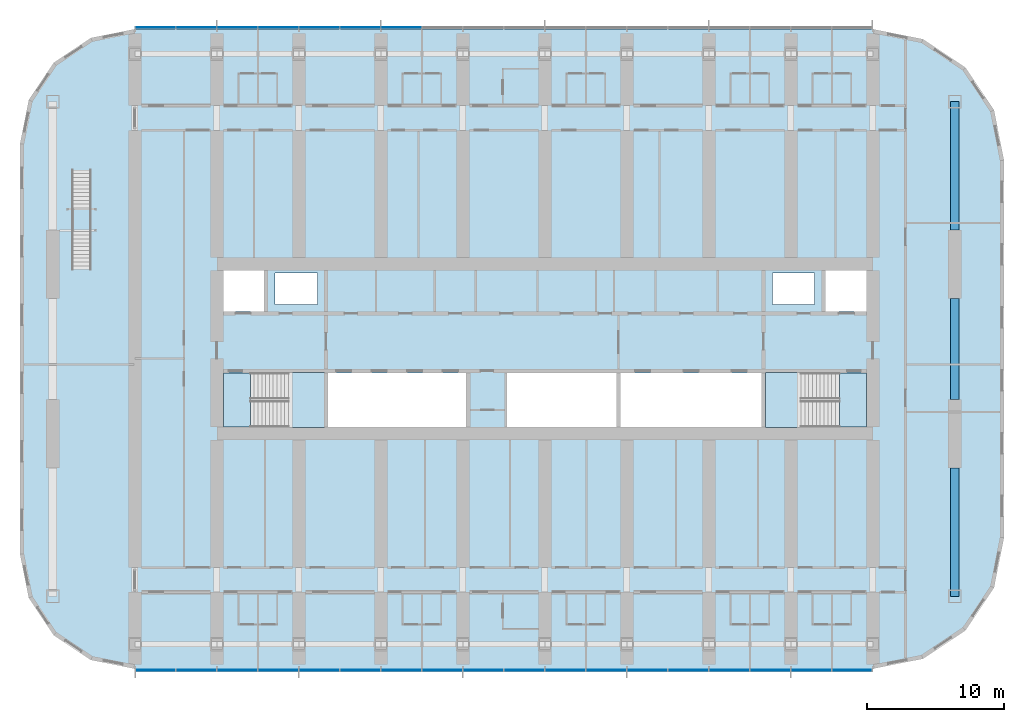
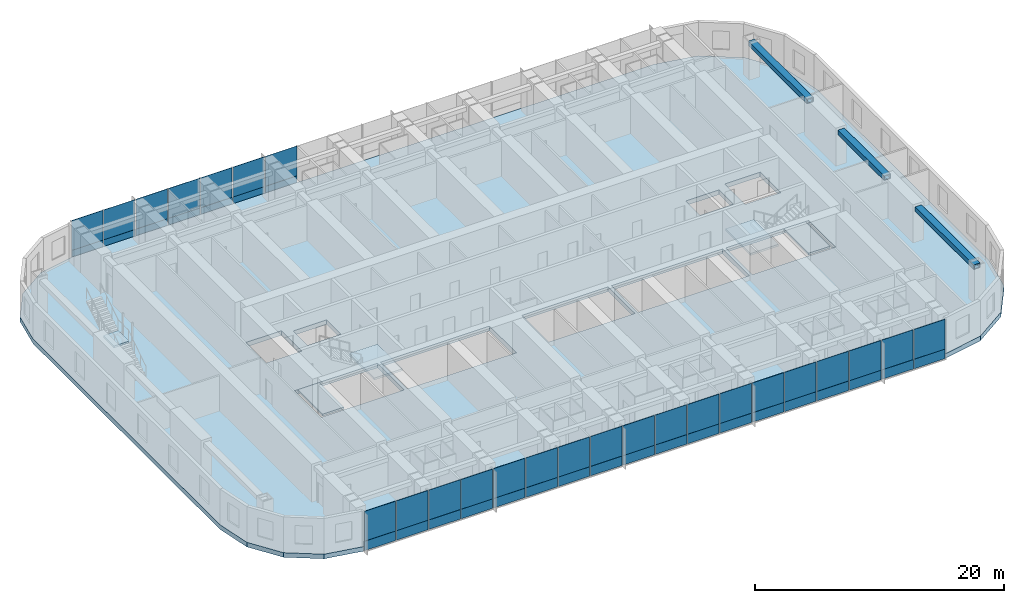
# One storey, part 8 of 25: 50 plates, 6 slabs, 3 beams, 5 elements without a shape of their own.
"""IFC4 building model written with IfcOpenShell, lengths in metres."""

import ifcopenshell
import ifcopenshell.guid

model = None  # the IFC model being written
_history = None  # IfcOwnerHistory: only IFC2X3 demands one
_inside = {}  # id of a spatial element -> (the spatial element, [elements in it])
_under = {}  # id of a project, library or spatial element -> (it, [spatial elements below it])
_declared = {}  # id of a project -> (the project, [libraries it declares])
_typed = {}  # id of a type object -> (the type object, [elements of that type])
_made_of = {}  # id of a material, layer set ... -> (it, [elements and type objects made of it])


def new_model(schema):
    """Start an empty IFC model of exactly this schema.

    Asked for "IFC4X3", IfcOpenShell would pick the latest addendum, in which some entities
    have other attributes; the version numbers below select the first issue.
    IFC2X3 requires an IfcOwnerHistory on every rooted entity: one is made here for all.
    """
    global model, _history
    if schema == "IFC4X3":
        model = ifcopenshell.file(schema_version=(4, 3, 0, 0))
    else:
        model = ifcopenshell.file(schema=schema)
    _inside.clear()
    _under.clear()
    _declared.clear()
    _typed.clear()
    _made_of.clear()
    _history = None
    if model.schema == "IFC2X3":
        org = make("IfcOrganization", Name="unknown")
        user = make(
            "IfcPersonAndOrganization",
            ThePerson=make("IfcPerson", FamilyName="unknown"),
            TheOrganization=org,
        )
        app = make(
            "IfcApplication",
            ApplicationDeveloper=org,
            Version="unknown",
            ApplicationFullName="unknown",
            ApplicationIdentifier="unknown",
        )
        _history = make(
            "IfcOwnerHistory",
            OwningUser=user,
            OwningApplication=app,
            ChangeAction="ADDED",
            CreationDate=0,
        )
    return model


def make(cls, **values):
    """One entity of the class cls with the attributes given. An attribute that is None is left unset."""
    return model.create_entity(
        cls, **{name: value for name, value in values.items() if value is not None}
    )


def rooted(cls, **values):
    """An entity with a GlobalId (a new one), such as an element, a storey or a relation."""
    return make(cls, GlobalId=ifcopenshell.guid.new(), OwnerHistory=_history, **values)


def si_unit(unit_type, name, prefix=None):
    """IfcSIUnit, for example si_unit("LENGTHUNIT", "METRE", prefix="MILLI")."""
    return make("IfcSIUnit", UnitType=unit_type, Prefix=prefix, Name=name)


def assignment(units):
    """IfcUnitAssignment: the units of a project."""
    return None if units is None else make("IfcUnitAssignment", Units=units)


def point(xyz):
    """IfcCartesianPoint."""
    return None if xyz is None else make("IfcCartesianPoint", Coordinates=xyz)


def direction(xyz):
    """IfcDirection."""
    return None if xyz is None else make("IfcDirection", DirectionRatios=xyz)


def frame(location, z_axis=None, x_axis=None):
    """IfcAxis2Placement3D, a coordinate frame: its origin and axes. An axis left out is left unset."""
    return make(
        "IfcAxis2Placement3D",
        Location=point(location),
        Axis=direction(z_axis),
        RefDirection=direction(x_axis),
    )


def frame_2d(location, x_axis=None):
    """IfcAxis2Placement2D, a coordinate frame in the plane: its origin and x axis."""
    return make(
        "IfcAxis2Placement2D", Location=point(location), RefDirection=direction(x_axis)
    )


def origin():
    """The frame at (0, 0, 0) with its axes left unset."""
    return frame((0.0, 0.0, 0.0))


def origin_2d():
    """The frame at (0, 0) in the plane with its x axis left unset."""
    return frame_2d((0.0, 0.0))


def place(relative_to, where):
    """IfcLocalPlacement: puts the frame where relative to a parent placement (None: the world)."""
    return make(
        "IfcLocalPlacement", PlacementRelTo=relative_to, RelativePlacement=where
    )


def context(
    kind, dimensions, precision=None, world=None, true_north=None, identifier=None
):
    """IfcGeometricRepresentationContext, for example the 3D "Model" context."""
    return make(
        "IfcGeometricRepresentationContext",
        ContextIdentifier=identifier,
        ContextType=kind,
        CoordinateSpaceDimension=dimensions,
        Precision=precision,
        WorldCoordinateSystem=world,
        TrueNorth=true_north,
    )


def subcontext(parent, identifier, kind, view, scale=None):
    """IfcGeometricRepresentationSubContext, for example "Body" below "Model"."""
    return make(
        "IfcGeometricRepresentationSubContext",
        ContextIdentifier=identifier,
        ContextType=kind,
        ParentContext=parent,
        TargetScale=scale,
        TargetView=view,
    )


def project(units=None, contexts=None):
    """IfcProject with its units and contexts."""
    return rooted(
        "IfcProject",
        Name="project",
        RepresentationContexts=contexts,
        UnitsInContext=assignment(units),
    )


def spatial(cls, under=None, at=None, **own):
    """A site, building, storey or space (cls), placed at a placement, below another one or the project."""
    s = rooted(cls, ObjectPlacement=at, **own)
    if under is not None:
        _under.setdefault(under.id(), (under, []))[1].append(s)
    return s


def polyline(points):
    """IfcPolyline through the points."""
    return make("IfcPolyline", Points=[point(p) for p in points])


def profile(cls, at=None, kind="AREA", **sizes):
    """A parametric profile (cls). Its sizes go by their IFC names, for example OverallWidth=200.0."""
    return make(cls, ProfileType=kind, Position=at, **sizes)


def rectangle(**sizes):
    """IfcRectangleProfileDef."""
    return profile("IfcRectangleProfileDef", **sizes)


def hollow_rectangle(**sizes):
    """IfcRectangleHollowProfileDef."""
    return profile("IfcRectangleHollowProfileDef", **sizes)


def outline(outer, holes=None, kind="AREA"):
    """IfcArbitraryClosedProfileDef: a profile drawn as a closed curve; with holes, ...WithVoids."""
    if holes is None:
        return make("IfcArbitraryClosedProfileDef", ProfileType=kind, OuterCurve=outer)
    return make(
        "IfcArbitraryProfileDefWithVoids",
        ProfileType=kind,
        OuterCurve=outer,
        InnerCurves=holes,
    )


def extrude(swept, where, along, depth):
    """IfcExtrudedAreaSolid: the profile swept, set in the frame where, extruded along a direction by depth."""
    return make(
        "IfcExtrudedAreaSolid",
        SweptArea=swept,
        Position=where,
        ExtrudedDirection=direction(along),
        Depth=depth,
    )


def shape(context_of_items, identifier, shape_type, items):
    """IfcShapeRepresentation: the items that make up one representation, for example the "Body"."""
    return make(
        "IfcShapeRepresentation",
        ContextOfItems=context_of_items,
        RepresentationIdentifier=identifier,
        RepresentationType=shape_type,
        Items=items,
    )


def material(Name=None, Category=None):
    """IfcMaterial."""
    return make("IfcMaterial", Name=Name, Category=Category)


def layer(
    of_material, thickness, ventilated=None, Name=None, Category=None, Priority=None
):
    """IfcMaterialLayer: one layer of a wall or slab, of a material (None: an air gap)."""
    return make(
        "IfcMaterialLayer",
        Material=of_material,
        LayerThickness=thickness,
        IsVentilated=ventilated,
        Name=Name,
        Category=Category,
        Priority=Priority,
    )


def layer_set(layers, Name=None):
    """IfcMaterialLayerSet."""
    return make("IfcMaterialLayerSet", MaterialLayers=layers, LayerSetName=Name)


def material_profile(
    of_material, cross_section, Name=None, Category=None, Priority=None
):
    """IfcMaterialProfile: a cross section and its material."""
    return make(
        "IfcMaterialProfile",
        Name=Name,
        Material=of_material,
        Profile=cross_section,
        Priority=Priority,
        Category=Category,
    )


def profile_set(profiles, Name=None, composite=None):
    """IfcMaterialProfileSet."""
    return make(
        "IfcMaterialProfileSet",
        Name=Name,
        MaterialProfiles=profiles,
        CompositeProfile=composite,
    )


def made_of(thing, what):
    """Note that an element or type object is made of a material, layer set ...; save() writes the relation."""
    if what is not None:
        _made_of.setdefault(what.id(), (what, []))[1].append(thing)
    return thing


def type_object(cls, material=None, **own):
    """A type object (cls), such as IfcWallType, which elements share."""
    return made_of(rooted(cls, **own), material)


def element(
    cls,
    number,
    at=None,
    inside=None,
    cuts=None,
    type_object=None,
    material=None,
    context=None,
    identifier="Body",
    shape_type=None,
    held_by="IfcProductDefinitionShape",
    body=None,
    shapes=None,
    **own,
):
    """One element of the class cls, such as IfcWall. Its Tag is "e" and its number.

    at: its placement. inside: the storey or other place that contains it. cuts: it is an
    opening in that element (IfcRelVoidsElement). A single representation is given by context,
    identifier, shape_type and body (its items); several are given by shapes. held_by: the class
    of the entity that holds the representations. save() writes the other relations.
    """
    e = rooted(cls, Tag="e%d" % number, ObjectPlacement=at, **own)
    if body is not None:
        shapes = [shape(context, identifier, shape_type, body)]
    if shapes is not None:
        e.Representation = make(held_by, Representations=shapes)
    if inside is not None:
        _inside.setdefault(inside.id(), (inside, []))[1].append(e)
    if cuts is not None:
        rooted(
            "IfcRelVoidsElement", RelatingBuildingElement=cuts, RelatedOpeningElement=e
        )
    if type_object is not None:
        _typed.setdefault(type_object.id(), (type_object, []))[1].append(e)
    return made_of(e, material)


def aggregate(whole, parts):
    """IfcRelAggregates: a whole, such as a stair, and the parts it consists of."""
    return rooted("IfcRelAggregates", RelatingObject=whole, RelatedObjects=parts)


def save(model, path):
    """Write the relations noted so far, then the file.

    IfcRelAggregates (storeys below a building ...), IfcRelContainedInSpatialStructure (elements
    in a storey), IfcRelDefinesByType, IfcRelAssociatesMaterial and IfcRelDeclares: one each for
    every whole, place, type object, material and project.
    """
    for whole, parts in _under.values():
        aggregate(whole, parts)
    for where, things in _inside.values():
        rooted(
            "IfcRelContainedInSpatialStructure",
            RelatedElements=things,
            RelatingStructure=where,
        )
    for kind, things in _typed.values():
        rooted("IfcRelDefinesByType", RelatedObjects=things, RelatingType=kind)
    for what, things in _made_of.values():
        rooted("IfcRelAssociatesMaterial", RelatedObjects=things, RelatingMaterial=what)
    for by, libraries in _declared.values():
        rooted("IfcRelDeclares", RelatingContext=by, RelatedDefinitions=libraries)
    model.write(path)


model = new_model("IFC4")

# Units and contexts
model_context = context("Model", 3, precision=1e-05, world=origin(), true_north=direction((0.0, 1.0)))
body_context = subcontext(model_context, "Body", "Model", "MODEL_VIEW")
ifc_project = project(units=[si_unit("LENGTHUNIT", "METRE"), si_unit("AREAUNIT", "SQUARE_METRE"), si_unit("VOLUMEUNIT", "CUBIC_METRE"), si_unit("PLANEANGLEUNIT", "RADIAN"), si_unit("MASSUNIT", "GRAM", prefix="KILO")], contexts=[model_context])

# Site, building, storey
site_placement = place(None, origin())
site = spatial("IfcSite", under=ifc_project, at=site_placement, CompositionType="ELEMENT")
building_placement = place(site_placement, origin())
building = spatial("IfcBuilding", under=site, at=building_placement, Name="Orbita Commons", CompositionType="ELEMENT")
storey_placement = place(building_placement, frame((0.0, 0.0, 99.39990234375)))
storey = spatial("IfcBuildingStorey", under=building, at=storey_placement, Name="L24", CompositionType="ELEMENT", Elevation=99.39990234375)

# Beams
ifc_material_1 = material(Name="Steel ASTM A572 Gr 50 welded plate", Category="steel")
ifc_material_profile = material_profile(ifc_material_1, hollow_rectangle(XDim=0.60009765625, YDim=0.449951171875, WallThickness=0.06005859375, at=origin_2d()), Name="BOX 450x600x60")
ifc_profile_set = profile_set([ifc_material_profile], Name="Steel ASTM A572 Gr 50 welded plate")
beam_type = type_object("IfcBeamType", Name="Steel end frame link BOX 450x600x60", PredefinedType="BEAM", material=ifc_profile_set)
beam_1_placement = place(storey_placement, frame((72.0, 13.89990234375, 3.275146484375), z_axis=(0.0, 1.0, 0.0), x_axis=(-1.0, 0.0, 0.0)))
element("IfcBeam", 1, at=beam_1_placement, inside=storey, type_object=beam_type, Name="End frame beam 13 B-C L24", PredefinedType="BEAM", context=body_context, shape_type="SweptSolid", body=[
    extrude(hollow_rectangle(XDim=0.60009765625, YDim=0.449951171875, WallThickness=0.06005859375, at=origin_2d()), origin(), (0.0, 0.0, 1.0), 9.400146484375),
])
beam_2_placement = place(storey_placement, frame((72.0, 28.300048828125, 3.275146484375), z_axis=(0.0, 1.0, 0.0), x_axis=(-1.0, 0.0, 0.0)))
element("IfcBeam", 2, at=beam_2_placement, inside=storey, type_object=beam_type, Name="End frame beam 13 C-D L24", PredefinedType="BEAM", context=body_context, shape_type="SweptSolid", body=[
    extrude(hollow_rectangle(XDim=0.60009765625, YDim=0.449951171875, WallThickness=0.06005859375, at=origin_2d()), origin(), (0.0, 0.0, 1.0), 7.39990234375),
])
beam_3_placement = place(storey_placement, frame((72.0, 40.699951171875, 3.275146484375), z_axis=(0.0, 1.0, 0.0), x_axis=(-1.0, 0.0, 0.0)))
element("IfcBeam", 3, at=beam_3_placement, inside=storey, type_object=beam_type, Name="End frame beam 13 D-E L24", PredefinedType="BEAM", context=body_context, shape_type="SweptSolid", body=[
    extrude(hollow_rectangle(XDim=0.60009765625, YDim=0.449951171875, WallThickness=0.06005859375, at=origin_2d()), origin(), (0.0, 0.0, 1.0), 9.400146484375),
])

# Stair, slab
ifc_material_2 = material(Name="Steel ASTM A992 stringers, precast concrete C40/50 terrazzo treads", Category="concrete")
stair_type_1 = type_object("IfcStairType", Name="Feature stair 22 risers 170 x 280 x 1400", PredefinedType="STRAIGHT_RUN_STAIR", material=ifc_material_2)
stair_1_placement = place(storey_placement, origin())
stair_1 = element("IfcStair", 4, at=stair_1_placement, inside=storey, type_object=stair_type_1, Name="Neighbourhood stair L24 to L25", PredefinedType="STRAIGHT_RUN_STAIR")
ifc_material_3 = material(Name="Concrete C40/50", Category="concrete")
ifc_layer_1 = layer(ifc_material_3, 0.199951171875)
ifc_layer_set_1 = layer_set([ifc_layer_1], Name="Concrete C40/50")
slab_type_1 = type_object("IfcSlabType", Name="Feature stair landing 200", PredefinedType="LANDING", material=ifc_layer_set_1)
slab_1_placement = place(storey_placement, frame((0.0, 0.0, 1.675048828125)))
slab_1 = element("IfcSlab", 5, at=slab_1_placement, type_object=slab_type_1, Name="FS landing 1", PredefinedType="LANDING", context=body_context, shape_type="SweptSolid", body=[
    extrude(outline(polyline([(7.39990234375, 40.60009765625), (8.800048828125, 40.60009765625), (8.800048828125, 42.31005859375), (7.39990234375, 42.31005859375), (7.39990234375, 40.60009765625)])), origin(), (0.0, 0.0, 1.0), 0.199951171875),
])
aggregate(stair_1, [slab_1])

# Slab
ifc_material_4 = material(Name="Concrete C40/50", Category="concrete")
ifc_layer_2 = layer(ifc_material_4, 0.449951171875)
ifc_layer_set_2 = layer_set([ifc_layer_2], Name="Concrete C40/50")
slab_type_2 = type_object("IfcSlabType", Name="Floor slab 450", PredefinedType="FLOOR", material=ifc_layer_set_2)
slab_2_placement = place(storey_placement, frame((0.0, 0.0, -0.449951171875)))
element("IfcSlab", 6, at=slab_2_placement, inside=storey, type_object=slab_type_2, Name="Floor slab L24", PredefinedType="FLOOR", context=body_context, shape_type="SweptSolid", body=[
    extrude(outline(polyline([(66.0, 8.60009765625), (69.673828125, 9.330810546875), (72.788330078125, 11.411865234375), (74.869140625, 14.526123046875), (75.60009765625, 18.199951171875), (75.60009765625, 45.800048828125), (74.869140625, 49.473876953125), (72.788330078125, 52.588134765625), (69.673828125, 54.669189453125), (66.0, 55.39990234375), (12.0, 55.39990234375), (8.785400390625, 54.760498046875), (6.060302734375, 52.939697265625), (4.239501953125, 50.214599609375), (3.60009765625, 47.0), (3.60009765625, 17.0), (4.239501953125, 13.785400390625), (6.060302734375, 11.060302734375), (8.785400390625, 9.239501953125), (12.0, 8.60009765625), (66.0, 8.60009765625)]), holes=[polyline([(18.14990234375, 25.949951171875), (25.85009765625, 25.949951171875), (25.85009765625, 30.25), (18.14990234375, 30.25), (18.14990234375, 25.949951171875)]), polyline([(58.14990234375, 25.949951171875), (65.85009765625, 25.949951171875), (65.85009765625, 30.25), (58.14990234375, 30.25), (58.14990234375, 25.949951171875)]), polyline([(18.14990234375, 34.75), (21.449951171875, 34.75), (21.449951171875, 38.050048828125), (18.14990234375, 38.050048828125), (18.14990234375, 34.75)]), polyline([(62.550048828125, 34.75), (65.85009765625, 34.75), (65.85009765625, 38.050048828125), (62.550048828125, 38.050048828125), (62.550048828125, 34.75)]), polyline([(22.25, 35.25), (25.35009765625, 35.25), (25.35009765625, 37.550048828125), (22.25, 37.550048828125), (22.25, 35.25)]), polyline([(58.64990234375, 35.25), (61.75, 35.25), (61.75, 37.550048828125), (58.64990234375, 37.550048828125), (58.64990234375, 35.25)]), polyline([(26.14990234375, 25.949951171875), (36.25, 25.949951171875), (36.25, 30.25), (26.14990234375, 30.25), (26.14990234375, 25.949951171875)]), polyline([(39.25, 25.949951171875), (47.25, 25.949951171875), (47.25, 30.25), (39.25, 30.25), (39.25, 25.949951171875)]), polyline([(47.550048828125, 25.949951171875), (57.85009765625, 25.949951171875), (57.85009765625, 30.25), (47.550048828125, 30.25), (47.550048828125, 25.949951171875)])]), origin(), (0.0, 0.0, 1.0), 0.449951171875),
])

# Curtain wall, plates
ifc_material_5 = material(Name="Anodised aluminium frame, pale silver", Category="aluminium")
curtain_wall_type = type_object("IfcCurtainWallType", Name="Unitised curtain wall CW-T, vision and spandrel", PredefinedType="NOTDEFINED", material=ifc_material_5)
curtain_wall_1_placement = place(storey_placement, origin())
curtain_wall_1 = element("IfcCurtainWall", 7, at=curtain_wall_1_placement, inside=storey, type_object=curtain_wall_type, Name="Curtain wall south L24", PredefinedType="NOTDEFINED")
ifc_material_6 = material(Name="Anodised aluminium sheet on mineral wool", Category="aluminium")
ifc_layer_3 = layer(ifc_material_6, 0.050048828125)
ifc_layer_set_3 = layer_set([ifc_layer_3], Name="Anodised aluminium sheet on mineral wool")
plate_type_1 = type_object("IfcPlateType", Name="Spandrel panel, pale aluminium over insulation 50", PredefinedType="CURTAIN_PANEL", material=ifc_layer_set_3)
plate_1_placement = place(storey_placement, frame((13.52001953125, 8.489990234375, -0.35009765625), z_axis=(0.0, 0.0, 1.0), x_axis=(1.0, 0.0, 0.0)))
plate_1 = element("IfcPlate", 8, at=plate_1_placement, type_object=plate_type_1, Name="Panel 1.1 CW-L24-S", PredefinedType="CURTAIN_PANEL", context=body_context, shape_type="SweptSolid", body=[
    extrude(rectangle(XDim=2.8798828125, YDim=0.050048828125, at=origin_2d()), origin(), (0.0, 0.0, 1.0), 0.927001953125),
])
plate_2_placement = place(storey_placement, frame((16.5, 8.489990234375, -0.35009765625), z_axis=(0.0, 0.0, 1.0), x_axis=(1.0, 0.0, 0.0)))
plate_2 = element("IfcPlate", 9, at=plate_2_placement, type_object=plate_type_1, Name="Panel 2.1 CW-L24-S", PredefinedType="CURTAIN_PANEL", context=body_context, shape_type="SweptSolid", body=[
    extrude(rectangle(XDim=2.919921875, YDim=0.050048828125, at=origin_2d()), origin(), (0.0, 0.0, 1.0), 0.927001953125),
])
plate_3_placement = place(storey_placement, frame((19.5, 8.489990234375, -0.35009765625), z_axis=(0.0, 0.0, 1.0), x_axis=(1.0, 0.0, 0.0)))
plate_3 = element("IfcPlate", 10, at=plate_3_placement, type_object=plate_type_1, Name="Panel 3.1 CW-L24-S", PredefinedType="CURTAIN_PANEL", context=body_context, shape_type="SweptSolid", body=[
    extrude(rectangle(XDim=2.919921875, YDim=0.050048828125, at=origin_2d()), origin(), (0.0, 0.0, 1.0), 0.927001953125),
])
plate_4_placement = place(storey_placement, frame((22.5, 8.489990234375, -0.35009765625), z_axis=(0.0, 0.0, 1.0), x_axis=(1.0, 0.0, 0.0)))
plate_4 = element("IfcPlate", 11, at=plate_4_placement, type_object=plate_type_1, Name="Panel 4.1 CW-L24-S", PredefinedType="CURTAIN_PANEL", context=body_context, shape_type="SweptSolid", body=[
    extrude(rectangle(XDim=2.919921875, YDim=0.050048828125, at=origin_2d()), origin(), (0.0, 0.0, 1.0), 0.927001953125),
])
plate_5_placement = place(storey_placement, frame((25.5, 8.489990234375, -0.35009765625), z_axis=(0.0, 0.0, 1.0), x_axis=(1.0, 0.0, 0.0)))
plate_5 = element("IfcPlate", 12, at=plate_5_placement, type_object=plate_type_1, Name="Panel 5.1 CW-L24-S", PredefinedType="CURTAIN_PANEL", context=body_context, shape_type="SweptSolid", body=[
    extrude(rectangle(XDim=2.919921875, YDim=0.050048828125, at=origin_2d()), origin(), (0.0, 0.0, 1.0), 0.927001953125),
])
plate_6_placement = place(storey_placement, frame((28.5, 8.489990234375, -0.35009765625), z_axis=(0.0, 0.0, 1.0), x_axis=(1.0, 0.0, 0.0)))
plate_6 = element("IfcPlate", 13, at=plate_6_placement, type_object=plate_type_1, Name="Panel 6.1 CW-L24-S", PredefinedType="CURTAIN_PANEL", context=body_context, shape_type="SweptSolid", body=[
    extrude(rectangle(XDim=2.919921875, YDim=0.050048828125, at=origin_2d()), origin(), (0.0, 0.0, 1.0), 0.927001953125),
])
plate_7_placement = place(storey_placement, frame((31.5, 8.489990234375, -0.35009765625), z_axis=(0.0, 0.0, 1.0), x_axis=(1.0, 0.0, 0.0)))
plate_7 = element("IfcPlate", 14, at=plate_7_placement, type_object=plate_type_1, Name="Panel 7.1 CW-L24-S", PredefinedType="CURTAIN_PANEL", context=body_context, shape_type="SweptSolid", body=[
    extrude(rectangle(XDim=2.919921875, YDim=0.050048828125, at=origin_2d()), origin(), (0.0, 0.0, 1.0), 0.927001953125),
])
plate_8_placement = place(storey_placement, frame((34.5, 8.489990234375, -0.35009765625), z_axis=(0.0, 0.0, 1.0), x_axis=(1.0, 0.0, 0.0)))
plate_8 = element("IfcPlate", 15, at=plate_8_placement, type_object=plate_type_1, Name="Panel 8.1 CW-L24-S", PredefinedType="CURTAIN_PANEL", context=body_context, shape_type="SweptSolid", body=[
    extrude(rectangle(XDim=2.919921875, YDim=0.050048828125, at=origin_2d()), origin(), (0.0, 0.0, 1.0), 0.927001953125),
])
plate_9_placement = place(storey_placement, frame((37.5, 8.489990234375, -0.35009765625), z_axis=(0.0, 0.0, 1.0), x_axis=(1.0, 0.0, 0.0)))
plate_9 = element("IfcPlate", 16, at=plate_9_placement, type_object=plate_type_1, Name="Panel 9.1 CW-L24-S", PredefinedType="CURTAIN_PANEL", context=body_context, shape_type="SweptSolid", body=[
    extrude(rectangle(XDim=2.919921875, YDim=0.050048828125, at=origin_2d()), origin(), (0.0, 0.0, 1.0), 0.927001953125),
])
plate_10_placement = place(storey_placement, frame((40.5, 8.489990234375, -0.35009765625), z_axis=(0.0, 0.0, 1.0), x_axis=(1.0, 0.0, 0.0)))
plate_10 = element("IfcPlate", 17, at=plate_10_placement, type_object=plate_type_1, Name="Panel 10.1 CW-L24-S", PredefinedType="CURTAIN_PANEL", context=body_context, shape_type="SweptSolid", body=[
    extrude(rectangle(XDim=2.919921875, YDim=0.050048828125, at=origin_2d()), origin(), (0.0, 0.0, 1.0), 0.927001953125),
])
plate_11_placement = place(storey_placement, frame((43.5, 8.489990234375, -0.35009765625), z_axis=(0.0, 0.0, 1.0), x_axis=(1.0, 0.0, 0.0)))
plate_11 = element("IfcPlate", 18, at=plate_11_placement, type_object=plate_type_1, Name="Panel 11.1 CW-L24-S", PredefinedType="CURTAIN_PANEL", context=body_context, shape_type="SweptSolid", body=[
    extrude(rectangle(XDim=2.919921875, YDim=0.050048828125, at=origin_2d()), origin(), (0.0, 0.0, 1.0), 0.927001953125),
])
plate_12_placement = place(storey_placement, frame((46.5, 8.489990234375, -0.35009765625), z_axis=(0.0, 0.0, 1.0), x_axis=(1.0, 0.0, 0.0)))
plate_12 = element("IfcPlate", 19, at=plate_12_placement, type_object=plate_type_1, Name="Panel 12.1 CW-L24-S", PredefinedType="CURTAIN_PANEL", context=body_context, shape_type="SweptSolid", body=[
    extrude(rectangle(XDim=2.919921875, YDim=0.050048828125, at=origin_2d()), origin(), (0.0, 0.0, 1.0), 0.927001953125),
])
plate_13_placement = place(storey_placement, frame((49.5, 8.489990234375, -0.35009765625), z_axis=(0.0, 0.0, 1.0), x_axis=(1.0, 0.0, 0.0)))
plate_13 = element("IfcPlate", 20, at=plate_13_placement, type_object=plate_type_1, Name="Panel 13.1 CW-L24-S", PredefinedType="CURTAIN_PANEL", context=body_context, shape_type="SweptSolid", body=[
    extrude(rectangle(XDim=2.919921875, YDim=0.050048828125, at=origin_2d()), origin(), (0.0, 0.0, 1.0), 0.927001953125),
])
plate_14_placement = place(storey_placement, frame((52.5, 8.489990234375, -0.35009765625), z_axis=(0.0, 0.0, 1.0), x_axis=(1.0, 0.0, 0.0)))
plate_14 = element("IfcPlate", 21, at=plate_14_placement, type_object=plate_type_1, Name="Panel 14.1 CW-L24-S", PredefinedType="CURTAIN_PANEL", context=body_context, shape_type="SweptSolid", body=[
    extrude(rectangle(XDim=2.919921875, YDim=0.050048828125, at=origin_2d()), origin(), (0.0, 0.0, 1.0), 0.927001953125),
])
plate_15_placement = place(storey_placement, frame((55.5, 8.489990234375, -0.35009765625), z_axis=(0.0, 0.0, 1.0), x_axis=(1.0, 0.0, 0.0)))
plate_15 = element("IfcPlate", 22, at=plate_15_placement, type_object=plate_type_1, Name="Panel 15.1 CW-L24-S", PredefinedType="CURTAIN_PANEL", context=body_context, shape_type="SweptSolid", body=[
    extrude(rectangle(XDim=2.919921875, YDim=0.050048828125, at=origin_2d()), origin(), (0.0, 0.0, 1.0), 0.927001953125),
])
plate_16_placement = place(storey_placement, frame((58.5, 8.489990234375, -0.35009765625), z_axis=(0.0, 0.0, 1.0), x_axis=(1.0, 0.0, 0.0)))
plate_16 = element("IfcPlate", 23, at=plate_16_placement, type_object=plate_type_1, Name="Panel 16.1 CW-L24-S", PredefinedType="CURTAIN_PANEL", context=body_context, shape_type="SweptSolid", body=[
    extrude(rectangle(XDim=2.919921875, YDim=0.050048828125, at=origin_2d()), origin(), (0.0, 0.0, 1.0), 0.927001953125),
])
plate_17_placement = place(storey_placement, frame((61.5, 8.489990234375, -0.35009765625), z_axis=(0.0, 0.0, 1.0), x_axis=(1.0, 0.0, 0.0)))
plate_17 = element("IfcPlate", 24, at=plate_17_placement, type_object=plate_type_1, Name="Panel 17.1 CW-L24-S", PredefinedType="CURTAIN_PANEL", context=body_context, shape_type="SweptSolid", body=[
    extrude(rectangle(XDim=2.919921875, YDim=0.050048828125, at=origin_2d()), origin(), (0.0, 0.0, 1.0), 0.927001953125),
])
plate_18_placement = place(storey_placement, frame((64.47998046875, 8.489990234375, -0.35009765625), z_axis=(0.0, 0.0, 1.0), x_axis=(1.0, 0.0, 0.0)))
plate_18 = element("IfcPlate", 25, at=plate_18_placement, type_object=plate_type_1, Name="Panel 18.1 CW-L24-S", PredefinedType="CURTAIN_PANEL", context=body_context, shape_type="SweptSolid", body=[
    extrude(rectangle(XDim=2.8798828125, YDim=0.050048828125, at=origin_2d()), origin(), (0.0, 0.0, 1.0), 0.927001953125),
])

curtain_wall_2_placement = place(storey_placement, origin())
curtain_wall_2 = element("IfcCurtainWall", 26, at=curtain_wall_2_placement, inside=storey, type_object=curtain_wall_type, Name="Curtain wall north L24", PredefinedType="NOTDEFINED")
plate_19_placement = place(storey_placement, frame((31.5, 55.510009765625, -0.35009765625), z_axis=(0.0, 0.0, 1.0), x_axis=(-1.0, 0.0, 0.0)))
plate_19 = element("IfcPlate", 27, at=plate_19_placement, type_object=plate_type_1, Name="Panel 12.1 CW-L24-N", PredefinedType="CURTAIN_PANEL", context=body_context, shape_type="SweptSolid", body=[
    extrude(rectangle(XDim=2.919921875, YDim=0.050048828125, at=origin_2d()), origin(), (0.0, 0.0, 1.0), 0.927001953125),
])
plate_20_placement = place(storey_placement, frame((28.5, 55.510009765625, -0.35009765625), z_axis=(0.0, 0.0, 1.0), x_axis=(-1.0, 0.0, 0.0)))
plate_20 = element("IfcPlate", 28, at=plate_20_placement, type_object=plate_type_1, Name="Panel 13.1 CW-L24-N", PredefinedType="CURTAIN_PANEL", context=body_context, shape_type="SweptSolid", body=[
    extrude(rectangle(XDim=2.919921875, YDim=0.050048828125, at=origin_2d()), origin(), (0.0, 0.0, 1.0), 0.927001953125),
])
plate_21_placement = place(storey_placement, frame((25.5, 55.510009765625, -0.35009765625), z_axis=(0.0, 0.0, 1.0), x_axis=(-1.0, 0.0, 0.0)))
plate_21 = element("IfcPlate", 29, at=plate_21_placement, type_object=plate_type_1, Name="Panel 14.1 CW-L24-N", PredefinedType="CURTAIN_PANEL", context=body_context, shape_type="SweptSolid", body=[
    extrude(rectangle(XDim=2.919921875, YDim=0.050048828125, at=origin_2d()), origin(), (0.0, 0.0, 1.0), 0.927001953125),
])
plate_22_placement = place(storey_placement, frame((22.5, 55.510009765625, -0.35009765625), z_axis=(0.0, 0.0, 1.0), x_axis=(-1.0, 0.0, 0.0)))
plate_22 = element("IfcPlate", 30, at=plate_22_placement, type_object=plate_type_1, Name="Panel 15.1 CW-L24-N", PredefinedType="CURTAIN_PANEL", context=body_context, shape_type="SweptSolid", body=[
    extrude(rectangle(XDim=2.919921875, YDim=0.050048828125, at=origin_2d()), origin(), (0.0, 0.0, 1.0), 0.927001953125),
])
plate_23_placement = place(storey_placement, frame((19.5, 55.510009765625, -0.35009765625), z_axis=(0.0, 0.0, 1.0), x_axis=(-1.0, 0.0, 0.0)))
plate_23 = element("IfcPlate", 31, at=plate_23_placement, type_object=plate_type_1, Name="Panel 16.1 CW-L24-N", PredefinedType="CURTAIN_PANEL", context=body_context, shape_type="SweptSolid", body=[
    extrude(rectangle(XDim=2.919921875, YDim=0.050048828125, at=origin_2d()), origin(), (0.0, 0.0, 1.0), 0.927001953125),
])
plate_24_placement = place(storey_placement, frame((16.5, 55.510009765625, -0.35009765625), z_axis=(0.0, 0.0, 1.0), x_axis=(-1.0, 0.0, 0.0)))
plate_24 = element("IfcPlate", 32, at=plate_24_placement, type_object=plate_type_1, Name="Panel 17.1 CW-L24-N", PredefinedType="CURTAIN_PANEL", context=body_context, shape_type="SweptSolid", body=[
    extrude(rectangle(XDim=2.919921875, YDim=0.050048828125, at=origin_2d()), origin(), (0.0, 0.0, 1.0), 0.927001953125),
])
plate_25_placement = place(storey_placement, frame((13.52001953125, 55.510009765625, -0.35009765625), z_axis=(0.0, 0.0, 1.0), x_axis=(-1.0, 0.0, 0.0)))
plate_25 = element("IfcPlate", 33, at=plate_25_placement, type_object=plate_type_1, Name="Panel 18.1 CW-L24-N", PredefinedType="CURTAIN_PANEL", context=body_context, shape_type="SweptSolid", body=[
    extrude(rectangle(XDim=2.8798828125, YDim=0.050048828125, at=origin_2d()), origin(), (0.0, 0.0, 1.0), 0.927001953125),
])

# Stair, slabs
ifc_material_7 = material(Name="Precast concrete C40/50", Category="concrete")
stair_type_2 = type_object("IfcStairType", Name="Exit stair S1 2 flights 11 risers 170", PredefinedType="HALF_TURN_STAIR", material=ifc_material_7)
stair_2_placement = place(storey_placement, origin())
stair_2 = element("IfcStair", 34, at=stair_2_placement, inside=storey, type_object=stair_type_2, Name="Exit stair S1 L24", PredefinedType="HALF_TURN_STAIR")
ifc_material_8 = material(Name="Concrete C40/50", Category="concrete")
ifc_layer_4 = layer(ifc_material_8, 0.199951171875)
ifc_layer_set_4 = layer_set([ifc_layer_4], Name="Concrete C40/50")
slab_type_3 = type_object("IfcSlabType", Name="Stair landing 200", PredefinedType="LANDING", material=ifc_layer_set_4)
slab_3_placement = place(storey_placement, frame((0.0, 0.0, -0.199951171875)))
slab_3 = element("IfcSlab", 35, at=slab_3_placement, type_object=slab_type_3, Name="S1 landing 1", PredefinedType="LANDING", context=body_context, shape_type="SweptSolid", body=[
    extrude(outline(polyline([(18.47509765625, 26.27490234375), (20.449951171875, 26.27490234375), (20.449951171875, 30.25), (18.47509765625, 30.25), (18.47509765625, 26.27490234375)])), origin(), (0.0, 0.0, 1.0), 0.199951171875),
])
slab_4_placement = place(storey_placement, frame((0.0, 0.0, 1.675048828125)))
slab_4 = element("IfcSlab", 36, at=slab_4_placement, type_object=slab_type_3, Name="S1 landing 2", PredefinedType="LANDING", context=body_context, shape_type="SweptSolid", body=[
    extrude(outline(polyline([(23.25, 26.260009765625), (25.864990234375, 26.260009765625), (25.864990234375, 30.264892578125), (23.25, 30.264892578125), (23.25, 26.260009765625)])), origin(), (0.0, 0.0, 1.0), 0.199951171875),
])
aggregate(stair_2, [slab_3, slab_4])

ifc_material_9 = material(Name="Precast concrete C40/50", Category="concrete")
stair_type_3 = type_object("IfcStairType", Name="Exit stair S2 2 flights 11 risers 170", PredefinedType="HALF_TURN_STAIR", material=ifc_material_9)
stair_3_placement = place(storey_placement, origin())
stair_3 = element("IfcStair", 37, at=stair_3_placement, inside=storey, type_object=stair_type_3, Name="Exit stair S2 L24", PredefinedType="HALF_TURN_STAIR")
slab_5_placement = place(storey_placement, frame((0.0, 0.0, -0.199951171875)))
slab_5 = element("IfcSlab", 38, at=slab_5_placement, type_object=slab_type_3, Name="S2 landing 1", PredefinedType="LANDING", context=body_context, shape_type="SweptSolid", body=[
    extrude(outline(polyline([(63.550048828125, 26.27490234375), (65.52490234375, 26.27490234375), (65.52490234375, 30.25), (63.550048828125, 30.25), (63.550048828125, 26.27490234375)])), origin(), (0.0, 0.0, 1.0), 0.199951171875),
])
slab_6_placement = place(storey_placement, frame((0.0, 0.0, 1.675048828125)))
slab_6 = element("IfcSlab", 39, at=slab_6_placement, type_object=slab_type_3, Name="S2 landing 2", PredefinedType="LANDING", context=body_context, shape_type="SweptSolid", body=[
    extrude(outline(polyline([(58.135009765625, 26.260009765625), (60.75, 26.260009765625), (60.75, 30.264892578125), (58.135009765625, 30.264892578125), (58.135009765625, 26.260009765625)])), origin(), (0.0, 0.0, 1.0), 0.199951171875),
])
aggregate(stair_3, [slab_5, slab_6])

# Plate
ifc_material_10 = material(Name="Clear double glazing", Category="glass")
ifc_layer_5 = layer(ifc_material_10, 0.031982421875)
ifc_layer_set_5 = layer_set([ifc_layer_5], Name="Clear double glazing")
plate_type_2 = type_object("IfcPlateType", Name="Vision panel, clear double glazing 32", PredefinedType="CURTAIN_PANEL", material=ifc_layer_set_5)
plate_26_placement = place(storey_placement, frame((13.52001953125, 8.489990234375, 0.5771484375), z_axis=(0.0, 0.0, 1.0), x_axis=(1.0, 0.0, 0.0)))
plate_26 = element("IfcPlate", 40, at=plate_26_placement, type_object=plate_type_2, Name="Panel 1.2 CW-L24-S", PredefinedType="CURTAIN_PANEL", context=body_context, shape_type="SweptSolid", body=[
    extrude(rectangle(XDim=2.8798828125, YDim=0.031982421875, at=origin_2d()), origin(), (0.0, 0.0, 1.0), 2.923095703125),
])

plate_27_placement = place(storey_placement, frame((16.5, 8.489990234375, 0.5771484375), z_axis=(0.0, 0.0, 1.0), x_axis=(1.0, 0.0, 0.0)))
plate_27 = element("IfcPlate", 41, at=plate_27_placement, type_object=plate_type_2, Name="Panel 2.2 CW-L24-S", PredefinedType="CURTAIN_PANEL", context=body_context, shape_type="SweptSolid", body=[
    extrude(rectangle(XDim=2.919921875, YDim=0.031982421875, at=origin_2d()), origin(), (0.0, 0.0, 1.0), 2.923095703125),
])

plate_28_placement = place(storey_placement, frame((19.5, 8.489990234375, 0.5771484375), z_axis=(0.0, 0.0, 1.0), x_axis=(1.0, 0.0, 0.0)))
plate_28 = element("IfcPlate", 42, at=plate_28_placement, type_object=plate_type_2, Name="Panel 3.2 CW-L24-S", PredefinedType="CURTAIN_PANEL", context=body_context, shape_type="SweptSolid", body=[
    extrude(rectangle(XDim=2.919921875, YDim=0.031982421875, at=origin_2d()), origin(), (0.0, 0.0, 1.0), 2.923095703125),
])

plate_29_placement = place(storey_placement, frame((22.5, 8.489990234375, 0.5771484375), z_axis=(0.0, 0.0, 1.0), x_axis=(1.0, 0.0, 0.0)))
plate_29 = element("IfcPlate", 43, at=plate_29_placement, type_object=plate_type_2, Name="Panel 4.2 CW-L24-S", PredefinedType="CURTAIN_PANEL", context=body_context, shape_type="SweptSolid", body=[
    extrude(rectangle(XDim=2.919921875, YDim=0.031982421875, at=origin_2d()), origin(), (0.0, 0.0, 1.0), 2.923095703125),
])

plate_30_placement = place(storey_placement, frame((25.5, 8.489990234375, 0.5771484375), z_axis=(0.0, 0.0, 1.0), x_axis=(1.0, 0.0, 0.0)))
plate_30 = element("IfcPlate", 44, at=plate_30_placement, type_object=plate_type_2, Name="Panel 5.2 CW-L24-S", PredefinedType="CURTAIN_PANEL", context=body_context, shape_type="SweptSolid", body=[
    extrude(rectangle(XDim=2.919921875, YDim=0.031982421875, at=origin_2d()), origin(), (0.0, 0.0, 1.0), 2.923095703125),
])

plate_31_placement = place(storey_placement, frame((28.5, 8.489990234375, 0.5771484375), z_axis=(0.0, 0.0, 1.0), x_axis=(1.0, 0.0, 0.0)))
plate_31 = element("IfcPlate", 45, at=plate_31_placement, type_object=plate_type_2, Name="Panel 6.2 CW-L24-S", PredefinedType="CURTAIN_PANEL", context=body_context, shape_type="SweptSolid", body=[
    extrude(rectangle(XDim=2.919921875, YDim=0.031982421875, at=origin_2d()), origin(), (0.0, 0.0, 1.0), 2.923095703125),
])

plate_32_placement = place(storey_placement, frame((31.5, 8.489990234375, 0.5771484375), z_axis=(0.0, 0.0, 1.0), x_axis=(1.0, 0.0, 0.0)))
plate_32 = element("IfcPlate", 46, at=plate_32_placement, type_object=plate_type_2, Name="Panel 7.2 CW-L24-S", PredefinedType="CURTAIN_PANEL", context=body_context, shape_type="SweptSolid", body=[
    extrude(rectangle(XDim=2.919921875, YDim=0.031982421875, at=origin_2d()), origin(), (0.0, 0.0, 1.0), 2.923095703125),
])

plate_33_placement = place(storey_placement, frame((34.5, 8.489990234375, 0.5771484375), z_axis=(0.0, 0.0, 1.0), x_axis=(1.0, 0.0, 0.0)))
plate_33 = element("IfcPlate", 47, at=plate_33_placement, type_object=plate_type_2, Name="Panel 8.2 CW-L24-S", PredefinedType="CURTAIN_PANEL", context=body_context, shape_type="SweptSolid", body=[
    extrude(rectangle(XDim=2.919921875, YDim=0.031982421875, at=origin_2d()), origin(), (0.0, 0.0, 1.0), 2.923095703125),
])

plate_34_placement = place(storey_placement, frame((37.5, 8.489990234375, 0.5771484375), z_axis=(0.0, 0.0, 1.0), x_axis=(1.0, 0.0, 0.0)))
plate_34 = element("IfcPlate", 48, at=plate_34_placement, type_object=plate_type_2, Name="Panel 9.2 CW-L24-S", PredefinedType="CURTAIN_PANEL", context=body_context, shape_type="SweptSolid", body=[
    extrude(rectangle(XDim=2.919921875, YDim=0.031982421875, at=origin_2d()), origin(), (0.0, 0.0, 1.0), 2.923095703125),
])

plate_35_placement = place(storey_placement, frame((40.5, 8.489990234375, 0.5771484375), z_axis=(0.0, 0.0, 1.0), x_axis=(1.0, 0.0, 0.0)))
plate_35 = element("IfcPlate", 49, at=plate_35_placement, type_object=plate_type_2, Name="Panel 10.2 CW-L24-S", PredefinedType="CURTAIN_PANEL", context=body_context, shape_type="SweptSolid", body=[
    extrude(rectangle(XDim=2.919921875, YDim=0.031982421875, at=origin_2d()), origin(), (0.0, 0.0, 1.0), 2.923095703125),
])

plate_36_placement = place(storey_placement, frame((43.5, 8.489990234375, 0.5771484375), z_axis=(0.0, 0.0, 1.0), x_axis=(1.0, 0.0, 0.0)))
plate_36 = element("IfcPlate", 50, at=plate_36_placement, type_object=plate_type_2, Name="Panel 11.2 CW-L24-S", PredefinedType="CURTAIN_PANEL", context=body_context, shape_type="SweptSolid", body=[
    extrude(rectangle(XDim=2.919921875, YDim=0.031982421875, at=origin_2d()), origin(), (0.0, 0.0, 1.0), 2.923095703125),
])

plate_37_placement = place(storey_placement, frame((46.5, 8.489990234375, 0.5771484375), z_axis=(0.0, 0.0, 1.0), x_axis=(1.0, 0.0, 0.0)))
plate_37 = element("IfcPlate", 51, at=plate_37_placement, type_object=plate_type_2, Name="Panel 12.2 CW-L24-S", PredefinedType="CURTAIN_PANEL", context=body_context, shape_type="SweptSolid", body=[
    extrude(rectangle(XDim=2.919921875, YDim=0.031982421875, at=origin_2d()), origin(), (0.0, 0.0, 1.0), 2.923095703125),
])

plate_38_placement = place(storey_placement, frame((49.5, 8.489990234375, 0.5771484375), z_axis=(0.0, 0.0, 1.0), x_axis=(1.0, 0.0, 0.0)))
plate_38 = element("IfcPlate", 52, at=plate_38_placement, type_object=plate_type_2, Name="Panel 13.2 CW-L24-S", PredefinedType="CURTAIN_PANEL", context=body_context, shape_type="SweptSolid", body=[
    extrude(rectangle(XDim=2.919921875, YDim=0.031982421875, at=origin_2d()), origin(), (0.0, 0.0, 1.0), 2.923095703125),
])

plate_39_placement = place(storey_placement, frame((52.5, 8.489990234375, 0.5771484375), z_axis=(0.0, 0.0, 1.0), x_axis=(1.0, 0.0, 0.0)))
plate_39 = element("IfcPlate", 53, at=plate_39_placement, type_object=plate_type_2, Name="Panel 14.2 CW-L24-S", PredefinedType="CURTAIN_PANEL", context=body_context, shape_type="SweptSolid", body=[
    extrude(rectangle(XDim=2.919921875, YDim=0.031982421875, at=origin_2d()), origin(), (0.0, 0.0, 1.0), 2.923095703125),
])

plate_40_placement = place(storey_placement, frame((55.5, 8.489990234375, 0.5771484375), z_axis=(0.0, 0.0, 1.0), x_axis=(1.0, 0.0, 0.0)))
plate_40 = element("IfcPlate", 54, at=plate_40_placement, type_object=plate_type_2, Name="Panel 15.2 CW-L24-S", PredefinedType="CURTAIN_PANEL", context=body_context, shape_type="SweptSolid", body=[
    extrude(rectangle(XDim=2.919921875, YDim=0.031982421875, at=origin_2d()), origin(), (0.0, 0.0, 1.0), 2.923095703125),
])

plate_41_placement = place(storey_placement, frame((58.5, 8.489990234375, 0.5771484375), z_axis=(0.0, 0.0, 1.0), x_axis=(1.0, 0.0, 0.0)))
plate_41 = element("IfcPlate", 55, at=plate_41_placement, type_object=plate_type_2, Name="Panel 16.2 CW-L24-S", PredefinedType="CURTAIN_PANEL", context=body_context, shape_type="SweptSolid", body=[
    extrude(rectangle(XDim=2.919921875, YDim=0.031982421875, at=origin_2d()), origin(), (0.0, 0.0, 1.0), 2.923095703125),
])

plate_42_placement = place(storey_placement, frame((61.5, 8.489990234375, 0.5771484375), z_axis=(0.0, 0.0, 1.0), x_axis=(1.0, 0.0, 0.0)))
plate_42 = element("IfcPlate", 56, at=plate_42_placement, type_object=plate_type_2, Name="Panel 17.2 CW-L24-S", PredefinedType="CURTAIN_PANEL", context=body_context, shape_type="SweptSolid", body=[
    extrude(rectangle(XDim=2.919921875, YDim=0.031982421875, at=origin_2d()), origin(), (0.0, 0.0, 1.0), 2.923095703125),
])

plate_43_placement = place(storey_placement, frame((64.47998046875, 8.489990234375, 0.5771484375), z_axis=(0.0, 0.0, 1.0), x_axis=(1.0, 0.0, 0.0)))
plate_43 = element("IfcPlate", 57, at=plate_43_placement, type_object=plate_type_2, Name="Panel 18.2 CW-L24-S", PredefinedType="CURTAIN_PANEL", context=body_context, shape_type="SweptSolid", body=[
    extrude(rectangle(XDim=2.8798828125, YDim=0.031982421875, at=origin_2d()), origin(), (0.0, 0.0, 1.0), 2.923095703125),
])

aggregate(curtain_wall_1, [plate_1, plate_26, plate_2, plate_27, plate_3, plate_28, plate_4, plate_29, plate_5, plate_30, plate_6, plate_31, plate_7, plate_32, plate_8, plate_33, plate_9, plate_34, plate_10, plate_35, plate_11, plate_36, plate_12, plate_37, plate_13, plate_38, plate_14, plate_39, plate_15, plate_40, plate_16, plate_41, plate_17, plate_42, plate_18, plate_43])

plate_44_placement = place(storey_placement, frame((31.5, 55.510009765625, 0.5771484375), z_axis=(0.0, 0.0, 1.0), x_axis=(-1.0, 0.0, 0.0)))
plate_44 = element("IfcPlate", 58, at=plate_44_placement, type_object=plate_type_2, Name="Panel 12.2 CW-L24-N", PredefinedType="CURTAIN_PANEL", context=body_context, shape_type="SweptSolid", body=[
    extrude(rectangle(XDim=2.919921875, YDim=0.031982421875, at=origin_2d()), origin(), (0.0, 0.0, 1.0), 2.923095703125),
])

plate_45_placement = place(storey_placement, frame((28.5, 55.510009765625, 0.5771484375), z_axis=(0.0, 0.0, 1.0), x_axis=(-1.0, 0.0, 0.0)))
plate_45 = element("IfcPlate", 59, at=plate_45_placement, type_object=plate_type_2, Name="Panel 13.2 CW-L24-N", PredefinedType="CURTAIN_PANEL", context=body_context, shape_type="SweptSolid", body=[
    extrude(rectangle(XDim=2.919921875, YDim=0.031982421875, at=origin_2d()), origin(), (0.0, 0.0, 1.0), 2.923095703125),
])

plate_46_placement = place(storey_placement, frame((25.5, 55.510009765625, 0.5771484375), z_axis=(0.0, 0.0, 1.0), x_axis=(-1.0, 0.0, 0.0)))
plate_46 = element("IfcPlate", 60, at=plate_46_placement, type_object=plate_type_2, Name="Panel 14.2 CW-L24-N", PredefinedType="CURTAIN_PANEL", context=body_context, shape_type="SweptSolid", body=[
    extrude(rectangle(XDim=2.919921875, YDim=0.031982421875, at=origin_2d()), origin(), (0.0, 0.0, 1.0), 2.923095703125),
])

plate_47_placement = place(storey_placement, frame((22.5, 55.510009765625, 0.5771484375), z_axis=(0.0, 0.0, 1.0), x_axis=(-1.0, 0.0, 0.0)))
plate_47 = element("IfcPlate", 61, at=plate_47_placement, type_object=plate_type_2, Name="Panel 15.2 CW-L24-N", PredefinedType="CURTAIN_PANEL", context=body_context, shape_type="SweptSolid", body=[
    extrude(rectangle(XDim=2.919921875, YDim=0.031982421875, at=origin_2d()), origin(), (0.0, 0.0, 1.0), 2.923095703125),
])

plate_48_placement = place(storey_placement, frame((19.5, 55.510009765625, 0.5771484375), z_axis=(0.0, 0.0, 1.0), x_axis=(-1.0, 0.0, 0.0)))
plate_48 = element("IfcPlate", 62, at=plate_48_placement, type_object=plate_type_2, Name="Panel 16.2 CW-L24-N", PredefinedType="CURTAIN_PANEL", context=body_context, shape_type="SweptSolid", body=[
    extrude(rectangle(XDim=2.919921875, YDim=0.031982421875, at=origin_2d()), origin(), (0.0, 0.0, 1.0), 2.923095703125),
])

plate_49_placement = place(storey_placement, frame((16.5, 55.510009765625, 0.5771484375), z_axis=(0.0, 0.0, 1.0), x_axis=(-1.0, 0.0, 0.0)))
plate_49 = element("IfcPlate", 63, at=plate_49_placement, type_object=plate_type_2, Name="Panel 17.2 CW-L24-N", PredefinedType="CURTAIN_PANEL", context=body_context, shape_type="SweptSolid", body=[
    extrude(rectangle(XDim=2.919921875, YDim=0.031982421875, at=origin_2d()), origin(), (0.0, 0.0, 1.0), 2.923095703125),
])

plate_50_placement = place(storey_placement, frame((13.52001953125, 55.510009765625, 0.5771484375), z_axis=(0.0, 0.0, 1.0), x_axis=(-1.0, 0.0, 0.0)))
plate_50 = element("IfcPlate", 64, at=plate_50_placement, type_object=plate_type_2, Name="Panel 18.2 CW-L24-N", PredefinedType="CURTAIN_PANEL", context=body_context, shape_type="SweptSolid", body=[
    extrude(rectangle(XDim=2.8798828125, YDim=0.031982421875, at=origin_2d()), origin(), (0.0, 0.0, 1.0), 2.923095703125),
])

aggregate(curtain_wall_2, [plate_19, plate_44, plate_20, plate_45, plate_21, plate_46, plate_22, plate_47, plate_23, plate_48, plate_24, plate_49, plate_25, plate_50])

save(model, "model.ifc")
